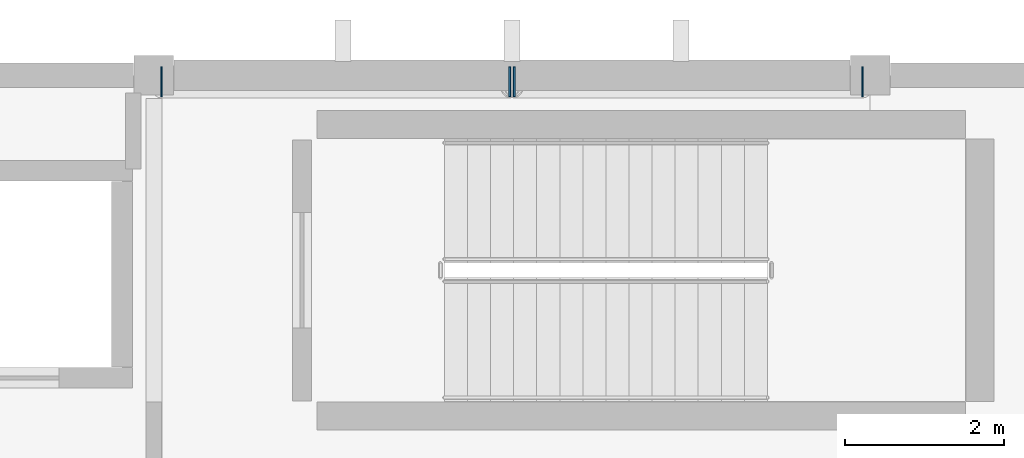
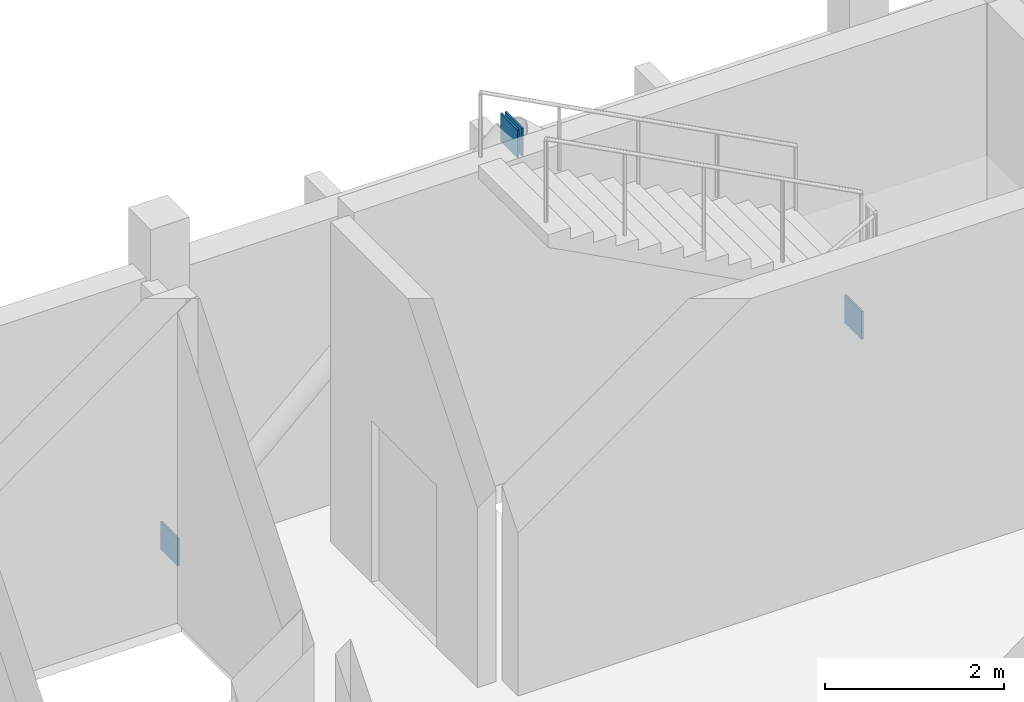
# One storey, part 58 of 74: 4 plates.
"""IFC4 building model written with IfcOpenShell, lengths in metres."""

from ifc_helpers import new_model, si_unit, direction, frame, origin, origin_2d, place, context, subcontext, project, spatial, rectangle, extrude, material, layer, layer_set, type_object, element, save


model = new_model("IFC4")

# Units and contexts
model_context = context("Model", 3, precision=1e-05, world=origin(), true_north=direction((0.0, 1.0)))
body_context = subcontext(model_context, "Body", "Model", "MODEL_VIEW")
ifc_project = project(units=[si_unit("LENGTHUNIT", "METRE"), si_unit("AREAUNIT", "SQUARE_METRE"), si_unit("VOLUMEUNIT", "CUBIC_METRE"), si_unit("PLANEANGLEUNIT", "RADIAN"), si_unit("MASSUNIT", "GRAM", prefix="KILO")], contexts=[model_context])

# Site, building, storey
site_placement = place(None, origin())
site = spatial("IfcSite", under=ifc_project, at=site_placement, CompositionType="ELEMENT")
building_placement = place(site_placement, origin())
building = spatial("IfcBuilding", under=site, at=building_placement, Name="Shengluoqiao Park Theatre", CompositionType="ELEMENT")
storey_placement = place(building_placement, frame((0.0, 0.0, 14.60009765625)))
storey = spatial("IfcBuildingStorey", under=building, at=storey_placement, Name="L03", CompositionType="ELEMENT", Elevation=14.60009765625)

# Plates
ifc_material = material(Name="Steel Q390", Category="steel")
ifc_layer = layer(ifc_material, 0.02392578125, Name="Steel Q390")
ifc_layer_set = layer_set([ifc_layer], Name="Steel Q390")
plate_type = type_object("IfcPlateType", Name="STR-PLT-EC-360", PredefinedType="SHEET", material=ifc_layer_set)
for number, where, z_axis, x_axis, name in (
    (1, (130.49658203125, 113.919921875, -0.08154296875), (0.0, 0.0, 1.0), (1.0, 0.0, 0.0), "Hollow Tube End Cap Plate 00156"),
    (2, (134.870849609375, 113.919921875, 3.94384765625), (0.0, 0.0, 1.0), (1.0, 0.0, 0.0), "Hollow Tube End Cap Plate 00157"),
    (3, (139.303466796875, 113.919921875, -0.08154296875), (0.0, 0.0, 1.0), (-1.0, 0.0, 0.0), "Hollow Tube End Cap Plate 00158"),
    (4, (134.92919921875, 113.919921875, 3.94384765625), (0.0, 0.0, 1.0), (-1.0, 0.0, 0.0), "Hollow Tube End Cap Plate 00159"),
):
    element("IfcPlate", number, at=place(storey_placement, frame(where, z_axis=z_axis, x_axis=x_axis)), inside=storey, type_object=plate_type, Name=name, PredefinedType="SHEET", context=body_context, shape_type="SweptSolid", body=[
        extrude(rectangle(XDim=0.02392578125, YDim=0.3798828125, at=origin_2d()), origin(), (0.0, 0.0, 1.0), 0.3798828125),
    ])

save(model, "model.ifc")
